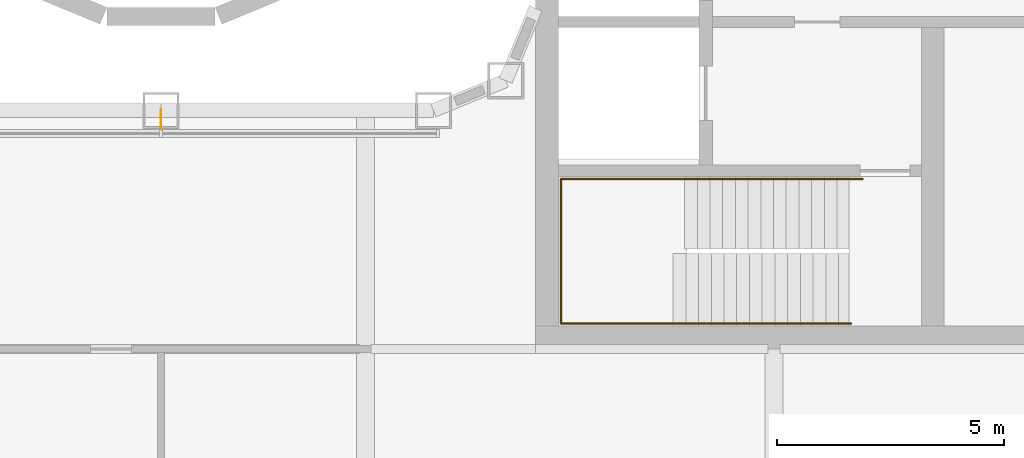
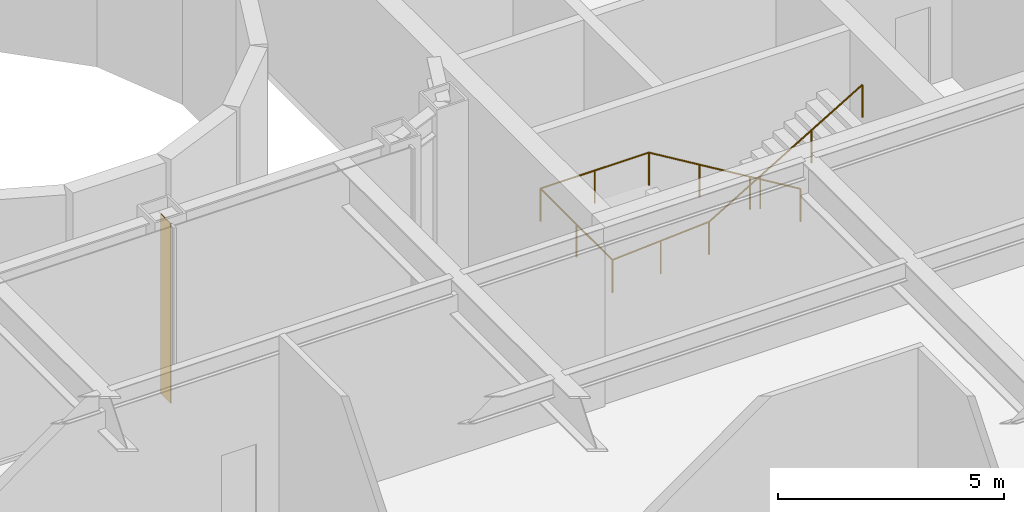
# One storey, part 21 of 24: 1 railing, 1 shading device.
"""IFC4 building model written with IfcOpenShell, lengths in metres."""

from ifc_helpers import new_model, si_unit, direction, frame, origin, origin_2d, place, context, subcontext, project, spatial, rectangle, circle, extrude, material, layer, layer_set, type_object, element, save


model = new_model("IFC4")

# Units and contexts
model_context = context("Model", 3, precision=1e-05, world=origin(), true_north=direction((0.0, 1.0)))
body_context = subcontext(model_context, "Body", "Model", "MODEL_VIEW")
ifc_project = project(units=[si_unit("LENGTHUNIT", "METRE"), si_unit("AREAUNIT", "SQUARE_METRE"), si_unit("VOLUMEUNIT", "CUBIC_METRE"), si_unit("PLANEANGLEUNIT", "RADIAN"), si_unit("MASSUNIT", "GRAM", prefix="KILO")], contexts=[model_context])

# Site, building, storey
site_placement = place(None, origin())
site = spatial("IfcSite", under=ifc_project, at=site_placement, CompositionType="ELEMENT")
building_placement = place(site_placement, origin())
building = spatial("IfcBuilding", under=site, at=building_placement, Name="Siwar Civic Tower", CompositionType="ELEMENT")
storey_placement = place(building_placement, frame((0.0, 0.0, 12.199951171875)))
storey = spatial("IfcBuildingStorey", under=building, at=storey_placement, Name="L02", CompositionType="ELEMENT", Elevation=12.199951171875)

# Railing
ifc_material_1 = material(Name="Stainless steel", Category="steel")
railing_type = type_object("IfcRailingType", Name="CORE-STAIR-HANDRAIL", PredefinedType="HANDRAIL", material=ifc_material_1)
railing_placement = place(storey_placement, frame((15.449951171875, -9.758056640625, 0.166748046875)))
element("IfcRailing", 1, at=railing_placement, inside=storey, type_object=railing_type, Name="Stair handrail ST4", PredefinedType="HANDRAIL", context=body_context, shape_type="SweptSolid", body=[
    extrude(circle(Radius=0.02001953125, at=origin_2d()), frame((0.0, 0.0, 0.8798828125), z_axis=(-0.856384976194, 0.0, 0.516337847296), x_axis=(0.0, -1.0, 0.0)), (0.0, 0.0, 1.0), 4.518798828125),
    extrude(circle(Radius=0.02001953125, at=origin_2d()), frame((-3.869873046875, 0.0, 3.213134765625), z_axis=(-1.0, 0.0, 0.0), x_axis=(0.0, -1.0, 0.0)), (0.0, 0.0, 1.0), 2.77197265625),
    extrude(circle(Radius=0.02001953125, at=origin_2d()), frame((-6.641845703125, 0.0, 3.213134765625), z_axis=(0.0, -1.0, 0.0), x_axis=(1.0, 0.0, 0.0)), (0.0, 0.0, 1.0), 3.183837890625),
    extrude(circle(Radius=0.02001953125, at=origin_2d()), frame((-6.641845703125, -3.183837890625, 3.213134765625), z_axis=(0.997732526271, 0.0, 0.067303833624), x_axis=(0.0, 1.0, 0.0)), (0.0, 0.0, 1.0), 2.4775390625),
    extrude(circle(Radius=0.02001953125, at=origin_2d()), frame((-4.169921875, -3.183837890625, 3.3798828125), z_axis=(0.859296244711, 0.0, 0.511478214419), x_axis=(0.0, 1.0, 0.0)), (0.0, 0.0, 1.0), 4.561767578125),
    extrude(circle(Radius=0.02001953125, at=origin_2d()), origin(), (0.0, 0.0, 1.0), 0.85986328125),
    extrude(circle(Radius=0.02001953125, at=origin_2d()), frame((-1.2900390625, 0.0, 0.77783203125)), (0.0, 0.0, 1.0), 0.85986328125),
    extrude(circle(Radius=0.02001953125, at=origin_2d()), frame((-2.579833984375, 0.0, 1.555419921875)), (0.0, 0.0, 1.0), 0.85986328125),
    extrude(circle(Radius=0.02001953125, at=origin_2d()), frame((-3.869873046875, 0.0, 2.333251953125)), (0.0, 0.0, 1.0), 0.85986328125),
    extrude(circle(Radius=0.02001953125, at=origin_2d()), frame((-5.255859375, 0.0, 2.333251953125)), (0.0, 0.0, 1.0), 0.85986328125),
    extrude(circle(Radius=0.02001953125, at=origin_2d()), frame((-6.641845703125, 0.0, 2.333251953125)), (0.0, 0.0, 1.0), 0.85986328125),
    extrude(circle(Radius=0.02001953125, at=origin_2d()), frame((-6.641845703125, -1.591796875, 2.333251953125)), (0.0, 0.0, 1.0), 0.85986328125),
    extrude(circle(Radius=0.02001953125, at=origin_2d()), frame((-6.641845703125, -3.183837890625, 2.333251953125)), (0.0, 0.0, 1.0), 0.85986328125),
    extrude(circle(Radius=0.02001953125, at=origin_2d()), frame((-5.40576171875, -3.183837890625, 2.41650390625)), (0.0, 0.0, 1.0), 0.85986328125),
    extrude(circle(Radius=0.02001953125, at=origin_2d()), frame((-4.169921875, -3.183837890625, 2.5)), (0.0, 0.0, 1.0), 0.85986328125),
    extrude(circle(Radius=0.02001953125, at=origin_2d()), frame((-2.86328125, -3.183837890625, 3.27783203125)), (0.0, 0.0, 1.0), 0.85986328125),
    extrude(circle(Radius=0.02001953125, at=origin_2d()), frame((-1.556640625, -3.183837890625, 4.055419921875)), (0.0, 0.0, 1.0), 0.85986328125),
    extrude(circle(Radius=0.02001953125, at=origin_2d()), frame((-0.25, -3.183837890625, 4.833251953125)), (0.0, 0.0, 1.0), 0.85986328125),
])

# Shading device
ifc_material_2 = material(Name="Aluminium 6063-T6", Category="aluminium")
ifc_layer = layer(ifc_material_2, 0.02001953125)
ifc_layer_set = layer_set([ifc_layer], Name="Aluminium 6063-T6")
shading_device_type = type_object("IfcShadingDeviceType", Name="ENV-FIN", PredefinedType="JALOUSIE", material=ifc_layer_set)
shading_device_placement = place(storey_placement, frame((0.0, -8.445068359375, 0.0), z_axis=(0.0, 0.0, 1.0), x_axis=(1.0, 0.0, 0.0)))
element("IfcShadingDevice", 2, at=shading_device_placement, inside=storey, type_object=shading_device_type, Name="SUNSHADE fin WS 1", PredefinedType="JALOUSIE", context=body_context, shape_type="SweptSolid", body=[
    extrude(rectangle(XDim=0.02001953125, YDim=0.449951171875, at=origin_2d()), origin(), (0.0, 0.0, 1.0), 4.85009765625),
])

save(model, "model.ifc")
